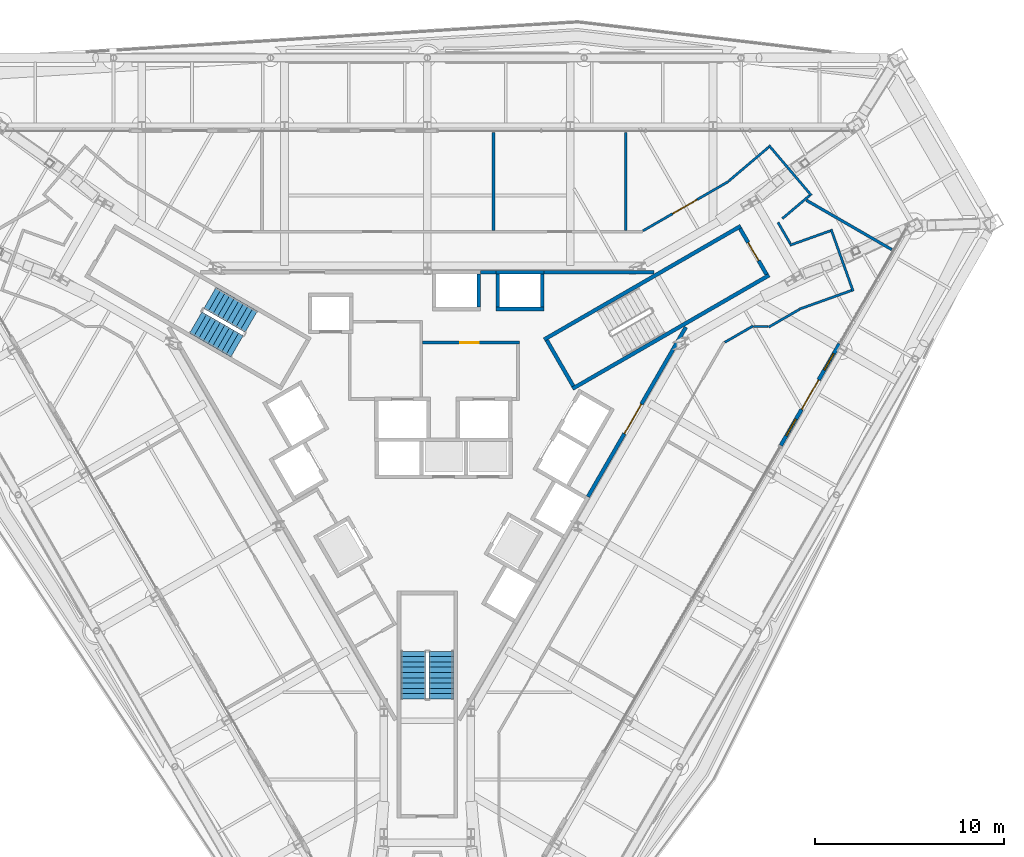
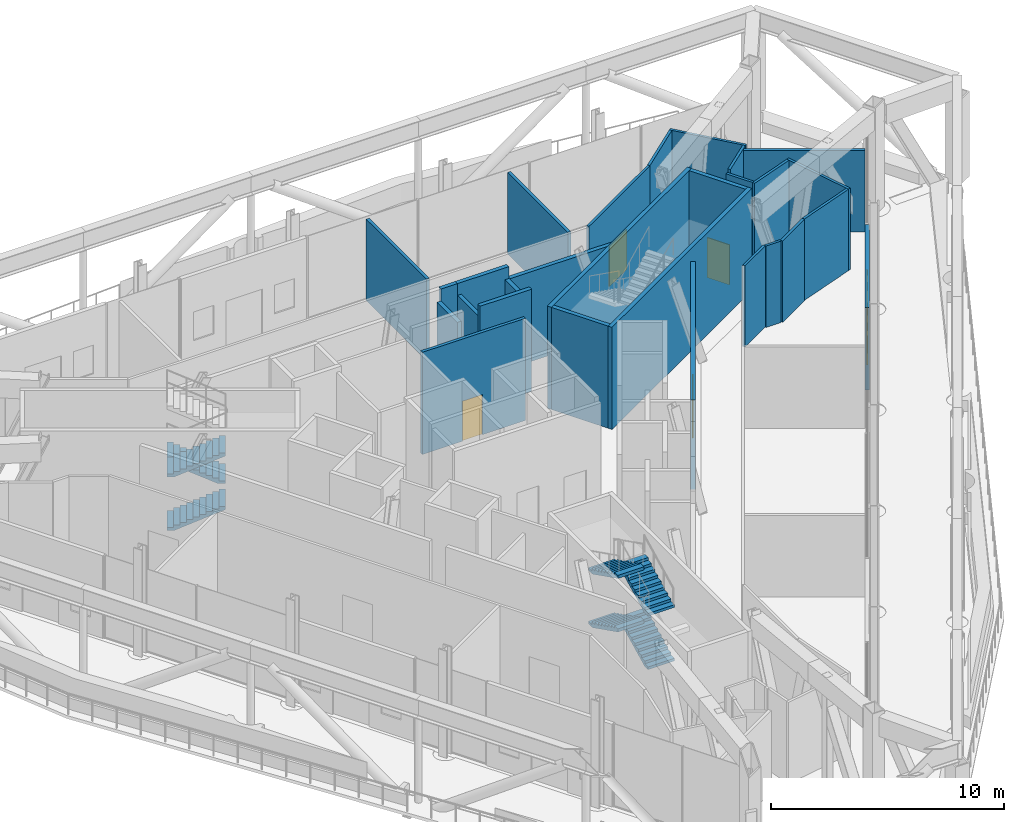
# One storey, part 18 of 25: 28 walls, 7 stair flights, 5 doors, 2 windows, 7 openings, 2 elements without a shape of their own.
"""IFC4 building model written with IfcOpenShell, lengths in metres."""

from ifc_helpers import new_model, si_unit, direction, frame, frame_2d, origin, place, context, subcontext, project, spatial, polyline, rectangle, outline, extrude, material, layer, layer_set, type_object, element, fill, aggregate, save


model = new_model("IFC4")

# Units and contexts
model_context = context("Model", 3, precision=1e-05, world=origin(), true_north=direction((0.0, 1.0)))
body_context = subcontext(model_context, "Body", "Model", "MODEL_VIEW")
ifc_project = project(units=[si_unit("LENGTHUNIT", "METRE"), si_unit("AREAUNIT", "SQUARE_METRE"), si_unit("VOLUMEUNIT", "CUBIC_METRE"), si_unit("PLANEANGLEUNIT", "RADIAN"), si_unit("MASSUNIT", "GRAM", prefix="KILO")], contexts=[model_context])

# Site, building, storey
site_placement = place(None, origin())
site = spatial("IfcSite", under=ifc_project, at=site_placement, CompositionType="ELEMENT")
building_placement = place(site_placement, origin())
building = spatial("IfcBuilding", under=site, at=building_placement, Name="Verrane Prism Tower", CompositionType="ELEMENT")
storey_placement = place(building_placement, frame((0.0, 0.0, 143.199951171875)))
storey = spatial("IfcBuildingStorey", under=building, at=storey_placement, Name="L35", CompositionType="ELEMENT", Elevation=143.199951171875)

# Walls
ifc_material_1 = material(Name="Gypsum board partition", Category="other")
ifc_layer_1 = layer(ifc_material_1, 0.199951171875)
ifc_layer_set_1 = layer_set([ifc_layer_1], Name="CW-200 core boundary wall 2 h")
wall_type_1 = type_object("IfcWallType", Name="CW-200 core boundary wall 2 h", PredefinedType="PARTITIONING", material=ifc_layer_set_1)
wall_1_placement = place(storey_placement, frame((2.81689453125, 8.860107421875, 0.0), z_axis=(0.0, 0.0, 1.0), x_axis=(1.0, 0.0, 0.0)))
element("IfcWall", 1, at=wall_1_placement, inside=storey, type_object=wall_type_1, Name="Core boundary wall CW3-005", PredefinedType="PARTITIONING", context=body_context, shape_type="SweptSolid", body=[
    extrude(rectangle(XDim=0.80615234375, YDim=0.199951171875, at=frame_2d((0.403076171875, 0.0))), origin(), (0.0, 0.0, 1.0), 5.35009765625),
])
wall_2_placement = place(storey_placement, frame((6.177001953125, 8.860107421875, 0.0), z_axis=(0.0, 0.0, 1.0), x_axis=(1.0, 0.0, 0.0)))
element("IfcWall", 2, at=wall_2_placement, inside=storey, type_object=wall_type_1, Name="Core boundary wall CW3-007", PredefinedType="PARTITIONING", context=body_context, shape_type="SweptSolid", body=[
    extrude(rectangle(XDim=5.81396484375, YDim=0.199951171875, at=frame_2d((2.906982421875, 0.0))), origin(), (0.0, 0.0, 1.0), 4.69677734375),
])

# Wall, opening, door
wall_3_placement = place(storey_placement, frame((8.491943359375, -3.011962890625, 0.0), z_axis=(0.0, 0.0, 1.0), x_axis=(0.499972957231, 0.866041016371, 0.0)))
wall_3 = element("IfcWall", 3, at=wall_3_placement, inside=storey, type_object=wall_type_1, Name="Core boundary wall CW3-008", PredefinedType="PARTITIONING", context=body_context, shape_type="SweptSolid", body=[
    extrude(rectangle(XDim=10.3486328125, YDim=0.199951171875, at=frame_2d((5.17431640625, 0.0))), origin(), (0.0, 0.0, 1.0), 4.69677734375),
])
opening_1_placement = place(wall_3_placement, frame((3.85009765625, 0.0, 0.0)))
opening_1 = element("IfcOpeningElement", 4, at=opening_1_placement, cuts=wall_3, Name="Opening D35520", PredefinedType="OPENING", context=body_context, shape_type="SweptSolid", body=[
    extrude(rectangle(XDim=1.800048828125, YDim=2.10009765625, at=frame_2d((0.89990234375, 1.050048828125))), frame((0.0, 0.10986328125, 0.0), z_axis=(0.0, -1.0, 0.0), x_axis=(1.0, 0.0, 0.0)), (0.0, 0.0, 1.0), 0.219970703125),
])
ifc_material_2 = material(Name="Timber veneered door leaf", Category="wood")
door_type_1 = type_object("IfcDoorType", Name="DR-1800x2100 FD60 double leaf lift lobby", OperationType="NOTDEFINED", PredefinedType="DOOR", material=ifc_material_2)
door_1_placement = place(opening_1_placement, origin())
door_1 = element("IfcDoor", 5, at=door_1_placement, inside=storey, type_object=door_type_1, Name="Lift lobby door D35520", OperationType="DOUBLE_DOOR_SINGLE_SWING", OverallHeight=2.10009765625, OverallWidth=1.800048828125, PredefinedType="DOOR", context=body_context, shape_type="SweptSolid", body=[
    extrude(rectangle(XDim=1.800048828125, YDim=2.10009765625, at=frame_2d((0.89990234375, 1.050048828125))), frame((0.0, 0.02490234375, 0.0), z_axis=(0.0, -1.0, 0.0), x_axis=(1.0, 0.0, 0.0)), (0.0, 0.0, 1.0), 0.050048828125),
])
fill(opening_1, door_1)

ifc_material_3 = material(Name="Concrete C40/50", Category="concrete")
ifc_layer_2 = layer(ifc_material_3, 0.199951171875)
ifc_layer_set_2 = layer_set([ifc_layer_2], Name="CW-200 stair core wall concrete C40/50 3 h")
wall_type_2 = type_object("IfcWallType", Name="CW-200 stair core wall concrete C40/50 3 h", PredefinedType="PARTITIONING", material=ifc_layer_set_2)
wall_4_placement = place(storey_placement, frame((17.933837890625, 8.737548828125, 0.0), z_axis=(0.0, 0.0, 1.0), x_axis=(-0.49998411664, 0.866034573852, 0.0)))
wall_4 = element("IfcWall", 6, at=wall_4_placement, inside=storey, type_object=wall_type_2, Name="Stair 1 enclosure wall", PredefinedType="PARTITIONING", context=body_context, shape_type="SweptSolid", body=[
    extrude(rectangle(XDim=2.7998046875, YDim=0.199951171875, at=frame_2d((1.39990234375, 0.0))), origin(), (0.0, 0.0, 1.0), 5.35009765625),
])
opening_2_placement = place(wall_4_placement, frame((0.849853515625, 0.0, 0.0)))
opening_2 = element("IfcOpeningElement", 7, at=opening_2_placement, cuts=wall_4, Name="Opening D35500", PredefinedType="OPENING", context=body_context, shape_type="SweptSolid", body=[
    extrude(rectangle(XDim=1.10009765625, YDim=2.10009765625, at=frame_2d((0.550048828125, 1.050048828125))), frame((0.0, 0.10986328125, 0.0), z_axis=(0.0, -1.0, 0.0), x_axis=(1.0, 0.0, 0.0)), (0.0, 0.0, 1.0), 0.219970703125),
])
ifc_material_4 = material(Name="Timber veneered door leaf", Category="wood")
door_type_2 = type_object("IfcDoorType", Name="DR-1100x2100 FD90 single leaf stair", OperationType="NOTDEFINED", PredefinedType="DOOR", material=ifc_material_4)
door_2_placement = place(opening_2_placement, origin())
door_2 = element("IfcDoor", 8, at=door_2_placement, inside=storey, type_object=door_type_2, Name="Stair 1 door", OperationType="SINGLE_SWING_LEFT", OverallHeight=2.10009765625, OverallWidth=1.10009765625, PredefinedType="DOOR", context=body_context, shape_type="SweptSolid", body=[
    extrude(rectangle(XDim=1.10009765625, YDim=2.10009765625, at=frame_2d((0.550048828125, 1.050048828125))), frame((0.0, 0.02490234375, 0.0), z_axis=(0.0, -1.0, 0.0), x_axis=(1.0, 0.0, 0.0)), (0.0, 0.0, 1.0), 0.050048828125),
])
fill(opening_2, door_2)

# Walls
for number, where, z_axis, x_axis, name in (
    (9, (6.17822265625, 5.299072265625, 0.0), (0.0, 0.0, 1.0), (0.866026010844, 0.49999894854, 0.0), "Stair 1 enclosure wall"),
    (10, (7.67822265625, 2.700927734375, 0.0), (0.0, 0.0, 1.0), (0.866026010844, 0.49999894854, 0.0), "Stair 1 enclosure wall"),
):
    element("IfcWall", number, at=place(storey_placement, frame(where, z_axis=z_axis, x_axis=x_axis)), inside=storey, type_object=wall_type_2, Name=name, PredefinedType="PARTITIONING", context=body_context, shape_type="SweptSolid", body=[
        extrude(rectangle(XDim=12.0, YDim=0.199951171875, at=frame_2d((6.0, 0.0))), origin(), (0.0, 0.0, 1.0), 5.35009765625),
    ])
wall_5_placement = place(storey_placement, frame((7.71484375, 2.837646484375, 0.0), z_axis=(0.0, 0.0, 1.0), x_axis=(-0.500049511043, 0.865996816683, 0.0)))
element("IfcWall", 11, at=wall_5_placement, inside=storey, type_object=wall_type_2, Name="Stair 1 enclosure wall", PredefinedType="PARTITIONING", context=body_context, shape_type="SweptSolid", body=[
    extrude(rectangle(XDim=2.800048828125, YDim=0.199951171875, at=frame_2d((1.39990234375, 0.0))), origin(), (0.0, 0.0, 1.0), 5.35009765625),
])
ifc_material_5 = material(Name="Gypsum board shaft wall assembly", Category="other")
ifc_layer_3 = layer(ifc_material_5, 0.199951171875)
ifc_layer_set_3 = layer_set([ifc_layer_3], Name="HW-200 lift shaft wall 2 h")
wall_type_3 = type_object("IfcWallType", Name="HW-200 lift shaft wall 2 h", PredefinedType="PARTITIONING", material=ifc_layer_set_3)
for number, where, z_axis, x_axis, name in (
    (12, (3.625, 6.909912109375, 0.0), (0.0, 0.0, 1.0), (1.0, 0.0, 0.0), "Lift shaft wall"),
    (13, (3.625, 8.860107421875, 0.0), (0.0, 0.0, 1.0), (1.0, 0.0, 0.0), "Lift shaft wall"),
):
    element("IfcWall", number, at=place(storey_placement, frame(where, z_axis=z_axis, x_axis=x_axis)), inside=storey, type_object=wall_type_3, Name=name, PredefinedType="PARTITIONING", context=body_context, shape_type="SweptSolid", body=[
        extrude(rectangle(XDim=2.550048828125, YDim=0.199951171875, at=frame_2d((1.27490234375, 0.0))), origin(), (0.0, 0.0, 1.0), 5.35009765625),
    ])
for number, where, z_axis, x_axis, name in (
    (14, (6.074951171875, 7.010009765625, 0.0), (0.0, 0.0, 1.0), (0.0, 1.0, 0.0), "Lift shaft wall"),
    (15, (3.72509765625, 7.010009765625, 0.0), (0.0, 0.0, 1.0), (0.0, 1.0, 0.0), "Lift shaft wall"),
    (16, (2.715087890625, 7.010009765625, 0.0), (0.0, 0.0, 1.0), (0.0, 1.0, 0.0), "Lift shaft wall"),
):
    element("IfcWall", number, at=place(storey_placement, frame(where, z_axis=z_axis, x_axis=x_axis)), inside=storey, type_object=wall_type_3, Name=name, PredefinedType="PARTITIONING", context=body_context, shape_type="SweptSolid", body=[
        extrude(rectangle(XDim=1.75, YDim=0.199951171875, at=frame_2d((0.875, 0.0))), origin(), (0.0, 0.0, 1.0), 4.73291015625),
    ])

# Wall, opening, door
ifc_material_6 = material(Name="Gypsum board partition", Category="other")
ifc_layer_4 = layer(ifc_material_6, 0.14990234375)
ifc_layer_set_4 = layer_set([ifc_layer_4], Name="LF-150 firefighting lobby wall 1 h")
wall_type_4 = type_object("IfcWallType", Name="LF-150 firefighting lobby wall 1 h", PredefinedType="PARTITIONING", material=ifc_layer_set_4)
wall_6_placement = place(storey_placement, frame((-0.2451171875, 5.139892578125, 0.0), z_axis=(0.0, 0.0, 1.0), x_axis=(1.0, 0.0, 0.0)))
wall_6 = element("IfcWall", 17, at=wall_6_placement, inside=storey, type_object=wall_type_4, Name="Firefighting lobby wall LF1-005", PredefinedType="PARTITIONING", context=body_context, shape_type="SweptSolid", body=[
    extrude(rectangle(XDim=5.110107421875, YDim=0.14990234375, at=frame_2d((2.55517578125, 0.0))), origin(), (0.0, 0.0, 1.0), 5.35009765625),
])
opening_3_placement = place(wall_6_placement, frame((1.97509765625, 0.0, 0.0)))
opening_3 = element("IfcOpeningElement", 18, at=opening_3_placement, cuts=wall_6, Name="Opening D35519", PredefinedType="OPENING", context=body_context, shape_type="SweptSolid", body=[
    extrude(rectangle(XDim=1.0, YDim=2.10009765625, at=frame_2d((0.5, 1.050048828125))), frame((0.0, 0.0849609375, 0.0), z_axis=(0.0, -1.0, 0.0), x_axis=(1.0, 0.0, 0.0)), (0.0, 0.0, 1.0), 0.169921875),
])
ifc_material_7 = material(Name="Timber veneered door leaf", Category="wood")
door_type_3 = type_object("IfcDoorType", Name="DR-1000x2100 FD60 single leaf firefighting lobby", OperationType="NOTDEFINED", PredefinedType="DOOR", material=ifc_material_7)
door_3_placement = place(opening_3_placement, origin())
door_3 = element("IfcDoor", 19, at=door_3_placement, inside=storey, type_object=door_type_3, Name="Firefighting lobby door D35519", OperationType="SINGLE_SWING_RIGHT", OverallHeight=2.10009765625, OverallWidth=1.0, PredefinedType="DOOR", context=body_context, shape_type="SweptSolid", body=[
    extrude(rectangle(XDim=1.0, YDim=2.10009765625, at=frame_2d((0.5, 1.050048828125))), frame((0.0, 0.02490234375, 0.0), z_axis=(0.0, -1.0, 0.0), x_axis=(1.0, 0.0, 0.0)), (0.0, 0.0, 1.0), 0.050048828125),
])
fill(opening_3, door_3)

ifc_material_8 = material(Name="Gypsum board partition", Category="other")
ifc_layer_5 = layer(ifc_material_8, 0.125)
ifc_layer_set_5 = layer_set([ifc_layer_5], Name="PW-125 corridor wall 1 h")
wall_type_5 = type_object("IfcWallType", Name="PW-125 corridor wall 1 h", PredefinedType="PARTITIONING", material=ifc_layer_set_5)
wall_7_placement = place(storey_placement, frame((11.3955078125, 11.04248046875, 0.0), z_axis=(0.0, 0.0, 1.0), x_axis=(0.866219007347, 0.499664518764, 0.0)))
wall_7 = element("IfcWall", 20, at=wall_7_placement, inside=storey, type_object=wall_type_5, Name="Corridor wall 037", PredefinedType="PARTITIONING", context=body_context, shape_type="SweptSolid", body=[
    extrude(rectangle(XDim=5.22900390625, YDim=0.125, at=frame_2d((2.614501953125, 0.0))), origin(), (0.0, 0.0, 1.0), 4.261962890625),
])
opening_4_placement = place(wall_7_placement, frame((1.81494140625, 0.0, 0.0)))
opening_4 = element("IfcOpeningElement", 21, at=opening_4_placement, cuts=wall_7, Name="Opening D35001", PredefinedType="OPENING", context=body_context, shape_type="SweptSolid", body=[
    extrude(rectangle(XDim=1.5, YDim=2.10009765625, at=frame_2d((0.75, 1.050048828125))), frame((0.0, 0.072509765625, 0.0), z_axis=(0.0, -1.0, 0.0), x_axis=(1.0, 0.0, 0.0)), (0.0, 0.0, 1.0), 0.14501953125),
])
ifc_material_9 = material(Name="Timber veneered door leaf", Category="wood")
door_type_4 = type_object("IfcDoorType", Name="DR-1500x2100 FD60 double leaf unit", OperationType="NOTDEFINED", PredefinedType="DOOR", material=ifc_material_9)
door_4_placement = place(opening_4_placement, origin())
door_4 = element("IfcDoor", 22, at=door_4_placement, inside=storey, type_object=door_type_4, Name="Mechanical Plant Room door", OperationType="DOUBLE_DOOR_SINGLE_SWING", OverallHeight=2.10009765625, OverallWidth=1.5, PredefinedType="DOOR", context=body_context, shape_type="SweptSolid", body=[
    extrude(rectangle(XDim=1.5, YDim=2.10009765625, at=frame_2d((0.75, 1.050048828125))), frame((0.0, 0.02490234375, 0.0), z_axis=(0.0, -1.0, 0.0), x_axis=(1.0, 0.0, 0.0)), (0.0, 0.0, 1.0), 0.050048828125),
])
fill(opening_4, door_4)

# Walls
wall_8_placement = place(storey_placement, frame((15.7265625, 5.153564453125, 0.0), z_axis=(0.0, 0.0, 1.0), x_axis=(0.865916841101, 0.500187988959, 0.0)))
element("IfcWall", 23, at=wall_8_placement, inside=storey, type_object=wall_type_5, Name="Corridor wall 039", PredefinedType="PARTITIONING", context=body_context, shape_type="SweptSolid", body=[
    extrude(rectangle(XDim=1.724853515625, YDim=0.125, at=frame_2d((0.8623046875, 0.0))), origin(), (0.0, 0.0, 1.0), 4.261962890625),
])
wall_9_placement = place(storey_placement, frame((15.92822265625, 13.672607421875, 0.0), z_axis=(0.0, 0.0, 1.0), x_axis=(0.762579987285, 0.646893934886, 0.0)))
element("IfcWall", 24, at=wall_9_placement, inside=storey, type_object=wall_type_5, Name="Corridor wall 040", PredefinedType="PARTITIONING", context=body_context, shape_type="SweptSolid", body=[
    extrude(rectangle(XDim=2.781494140625, YDim=0.125, at=frame_2d((1.390625, 0.0))), origin(), (0.0, 0.0, 1.0), 4.261962890625),
])
wall_10_placement = place(storey_placement, frame((17.2509765625, 5.985107421875, 0.0), z_axis=(0.0, 0.0, 1.0), x_axis=(1.0, 0.0, 0.0)))
element("IfcWall", 25, at=wall_10_placement, inside=storey, type_object=wall_type_5, Name="Corridor wall 041", PredefinedType="PARTITIONING", context=body_context, shape_type="SweptSolid", body=[
    extrude(rectangle(XDim=0.761962890625, YDim=0.125, at=frame_2d((0.380859375, 0.0))), origin(), (0.0, 0.0, 1.0), 4.261962890625),
])
wall_11_placement = place(storey_placement, frame((18.0439453125, 5.953857421875, 0.0), z_axis=(0.0, 0.0, 1.0), x_axis=(0.866066508296, 0.499928798138, 0.0)))
element("IfcWall", 26, at=wall_11_placement, inside=storey, type_object=wall_type_5, Name="Corridor wall 042", PredefinedType="PARTITIONING", context=body_context, shape_type="SweptSolid", body=[
    extrude(rectangle(XDim=1.877685546875, YDim=0.125, at=frame_2d((0.93896484375, 0.0))), origin(), (0.0, 0.0, 1.0), 4.261962890625),
])
wall_12_placement = place(storey_placement, frame((18.05859375, 15.561767578125, 0.0), z_axis=(0.0, 0.0, 1.0), x_axis=(0.646921713651, -0.762556421785, 0.0)))
element("IfcWall", 27, at=wall_12_placement, inside=storey, type_object=wall_type_5, Name="Corridor wall 043", PredefinedType="PARTITIONING", context=body_context, shape_type="SweptSolid", body=[
    extrude(rectangle(XDim=3.47314453125, YDim=0.125, at=frame_2d((1.736572265625, 0.0))), origin(), (0.0, 0.0, 1.0), 4.261962890625),
])
wall_13_placement = place(storey_placement, frame((18.535888671875, 11.493896484375, 0.0), z_axis=(0.0, 0.0, 1.0), x_axis=(0.500318258544, -0.86584157914, 0.0)))
element("IfcWall", 28, at=wall_13_placement, inside=storey, type_object=wall_type_5, Name="Corridor wall 044", PredefinedType="PARTITIONING", context=body_context, shape_type="SweptSolid", body=[
    extrude(rectangle(XDim=1.300537109375, YDim=0.125, at=frame_2d((0.650390625, 0.0))), origin(), (0.0, 0.0, 1.0), 4.261962890625),
])
wall_14_placement = place(storey_placement, frame((18.76708984375, 11.68994140625, 0.0), z_axis=(0.0, 0.0, 1.0), x_axis=(0.762459174638, 0.647036325881, 0.0)))
element("IfcWall", 29, at=wall_14_placement, inside=storey, type_object=wall_type_5, Name="Corridor wall 045", PredefinedType="PARTITIONING", context=body_context, shape_type="SweptSolid", body=[
    extrude(rectangle(XDim=1.8994140625, YDim=0.125, at=frame_2d((0.94970703125, 0.0))), origin(), (0.0, 0.0, 1.0), 4.261962890625),
])
wall_15_placement = place(storey_placement, frame((19.1650390625, 10.281982421875, 0.0), z_axis=(0.0, 0.0, 1.0), x_axis=(0.941644548389, 0.336608889499, 0.0)))
element("IfcWall", 30, at=wall_15_placement, inside=storey, type_object=wall_type_5, Name="Corridor wall 046", PredefinedType="PARTITIONING", context=body_context, shape_type="SweptSolid", body=[
    extrude(rectangle(XDim=2.270263671875, YDim=0.125, at=frame_2d((1.13525390625, 0.0))), origin(), (0.0, 0.0, 1.0), 4.261962890625),
])
wall_16_placement = place(storey_placement, frame((19.67626953125, 6.908935546875, 0.0), z_axis=(0.0, 0.0, 1.0), x_axis=(0.94150714771, 0.336993013001, 0.0)))
element("IfcWall", 31, at=wall_16_placement, inside=storey, type_object=wall_type_5, Name="Corridor wall 047", PredefinedType="PARTITIONING", context=body_context, shape_type="SweptSolid", body=[
    extrude(rectangle(XDim=2.92041015625, YDim=0.125, at=frame_2d((1.460205078125, 0.0))), origin(), (0.0, 0.0, 1.0), 4.261962890625),
])
wall_17_placement = place(storey_placement, frame((21.343017578125, 11.126953125, 0.0), z_axis=(0.0, 0.0, 1.0), x_axis=(0.335547849287, -0.942023163642, 0.0)))
element("IfcWall", 32, at=wall_17_placement, inside=storey, type_object=wall_type_5, Name="Corridor wall 049", PredefinedType="PARTITIONING", context=body_context, shape_type="SweptSolid", body=[
    extrude(rectangle(XDim=3.47216796875, YDim=0.125, at=frame_2d((1.736083984375, 0.0))), origin(), (0.0, 0.0, 1.0), 4.261962890625),
])
ifc_material_10 = material(Name="Gypsum board partition", Category="other")
ifc_layer_6 = layer(ifc_material_10, 0.14990234375)
ifc_layer_set_6 = layer_set([ifc_layer_6], Name="PW-150 demising wall 1 h")
wall_type_6 = type_object("IfcWallType", Name="PW-150 demising wall 1 h", PredefinedType="PARTITIONING", material=ifc_layer_set_6)
for number, where, z_axis, x_axis, name in (
    (33, (3.4970703125, 11.0625, 0.0), (0.0, 0.0, 1.0), (0.0, 1.0, 0.0), "Demising wall 031"),
    (34, (10.491943359375, 11.0625, 0.0), (0.0, 0.0, 1.0), (0.0, 1.0, 0.0), "Demising wall 036"),
):
    element("IfcWall", number, at=place(storey_placement, frame(where, z_axis=z_axis, x_axis=x_axis)), inside=storey, type_object=wall_type_6, Name=name, PredefinedType="PARTITIONING", context=body_context, shape_type="SweptSolid", body=[
        extrude(rectangle(XDim=5.172607421875, YDim=0.14990234375, at=frame_2d((2.58642578125, 0.0))), origin(), (0.0, 0.0, 1.0), 4.261962890625),
    ])
wall_18_placement = place(storey_placement, frame((20.043701171875, 12.658447265625, 0.0), z_axis=(0.0, 0.0, 1.0), x_axis=(0.865959859482, -0.500113508882, 0.0)))
element("IfcWall", 35, at=wall_18_placement, inside=storey, type_object=wall_type_6, Name="Demising wall 048", PredefinedType="PARTITIONING", context=body_context, shape_type="SweptSolid", body=[
    extrude(rectangle(XDim=5.205810546875, YDim=0.14990234375, at=frame_2d((2.60302734375, 0.0))), origin(), (0.0, 0.0, 1.0), 4.261962890625),
])

# Wall, openings, door, windows
ifc_material_11 = material(Name="Aluminium framed insulated glazing", Category="aluminium")
ifc_layer_7 = layer(ifc_material_11, 0.199951171875)
ifc_layer_set_7 = layer_set([ifc_layer_7], Name="Refuge screen wall 200")
wall_type_7 = type_object("IfcWallType", Name="Refuge screen wall 200", PredefinedType="SOLIDWALL", material=ifc_layer_set_7)
wall_19_placement = place(storey_placement, frame((18.685302734375, -0.29833984375, 0.0), z_axis=(0.0, 0.0, 1.0), x_axis=(0.49998037582, 0.866036733513, 0.0)))
wall_19 = element("IfcWall", 36, at=wall_19_placement, inside=storey, type_object=wall_type_7, Name="Refuge screen wall south-east face L35", PredefinedType="SOLIDWALL", context=body_context, shape_type="SweptSolid", body=[
    extrude(rectangle(XDim=6.199951171875, YDim=0.199951171875, at=frame_2d((3.10009765625, 0.0))), origin(), (0.0, 0.0, 1.0), 4.322509765625),
])
opening_5_placement = place(wall_19_placement, frame((0.60009765625, 0.0, 0.89990234375)))
opening_5 = element("IfcOpeningElement", 37, at=opening_5_placement, cuts=wall_19, Name="Opening W35713", PredefinedType="OPENING", context=body_context, shape_type="SweptSolid", body=[
    extrude(rectangle(XDim=1.0, YDim=1.5, at=frame_2d((0.5, 0.75))), frame((0.0, 0.10986328125, 0.0), z_axis=(0.0, -1.0, 0.0), x_axis=(1.0, 0.0, 0.0)), (0.0, 0.0, 1.0), 0.219970703125),
])
opening_6_placement = place(wall_19_placement, frame((2.199951171875, 0.0, 0.0)))
opening_6 = element("IfcOpeningElement", 38, at=opening_6_placement, cuts=wall_19, Name="Opening D35707", PredefinedType="OPENING", context=body_context, shape_type="SweptSolid", body=[
    extrude(rectangle(XDim=1.800048828125, YDim=2.39990234375, at=frame_2d((0.89990234375, 1.199951171875))), frame((0.0, 0.10986328125, 0.0), z_axis=(0.0, -1.0, 0.0), x_axis=(1.0, 0.0, 0.0)), (0.0, 0.0, 1.0), 0.219970703125),
])
opening_7_placement = place(wall_19_placement, frame((4.60009765625, 0.0, 0.89990234375)))
opening_7 = element("IfcOpeningElement", 39, at=opening_7_placement, cuts=wall_19, Name="Opening W35714", PredefinedType="OPENING", context=body_context, shape_type="SweptSolid", body=[
    extrude(rectangle(XDim=1.0, YDim=1.5, at=frame_2d((0.5, 0.75))), frame((0.0, 0.10986328125, 0.0), z_axis=(0.0, -1.0, 0.0), x_axis=(1.0, 0.0, 0.0)), (0.0, 0.0, 1.0), 0.219970703125),
])
ifc_material_12 = material(Name="Aluminium framed glazing", Category="aluminium")
door_type_5 = type_object("IfcDoorType", Name="DR-1800x2400 double glazed garden door", OperationType="DOUBLE_DOOR_SINGLE_SWING", PredefinedType="DOOR", material=ifc_material_12)
door_5_placement = place(opening_6_placement, frame((1.800048828125, 0.0, 0.0), z_axis=(0.0, 0.0, 1.0), x_axis=(-1.0, 0.0, 0.0)))
door_5 = element("IfcDoor", 40, at=door_5_placement, inside=storey, type_object=door_type_5, Name="Refuge terrace door D35707", OperationType="DOUBLE_DOOR_SINGLE_SWING", OverallHeight=2.39990234375, OverallWidth=1.800048828125, PredefinedType="DOOR", context=body_context, shape_type="SweptSolid", body=[
    extrude(rectangle(XDim=1.800048828125, YDim=2.39990234375, at=frame_2d((0.89990234375, 1.199951171875))), frame((0.0, 0.02490234375, 0.0), z_axis=(0.0, -1.0, 0.0), x_axis=(1.0, 0.0, 0.0)), (0.0, 0.0, 1.0), 0.050048828125),
])
fill(opening_6, door_5)
ifc_material_13 = material(Name="Aluminium framed glazing", Category="aluminium")
window_type = type_object("IfcWindowType", Name="Vent window 1000x1500 top hung", PartitioningType="SINGLE_PANEL", PredefinedType="WINDOW", material=ifc_material_13)
window_1_placement = place(opening_5_placement, origin())
window_1 = element("IfcWindow", 41, at=window_1_placement, inside=storey, type_object=window_type, Name="Vent window W35713", OverallHeight=1.5, OverallWidth=1.0, PartitioningType="SINGLE_PANEL", PredefinedType="WINDOW", context=body_context, shape_type="SweptSolid", body=[
    extrude(rectangle(XDim=1.0, YDim=1.5, at=frame_2d((0.5, 0.75))), frame((0.0, 0.030029296875, 0.0), z_axis=(0.0, -1.0, 0.0), x_axis=(1.0, 0.0, 0.0)), (0.0, 0.0, 1.0), 0.06005859375),
])
fill(opening_5, window_1)
window_2_placement = place(opening_7_placement, origin())
window_2 = element("IfcWindow", 42, at=window_2_placement, inside=storey, type_object=window_type, Name="Vent window W35714", OverallHeight=1.5, OverallWidth=1.0, PartitioningType="SINGLE_PANEL", PredefinedType="WINDOW", context=body_context, shape_type="SweptSolid", body=[
    extrude(rectangle(XDim=1.0, YDim=1.5, at=frame_2d((0.5, 0.75))), frame((0.0, 0.030029296875, 0.0), z_axis=(0.0, -1.0, 0.0), x_axis=(1.0, 0.0, 0.0)), (0.0, 0.0, 1.0), 0.06005859375),
])
fill(opening_7, window_2)

# Stair, stair flights
ifc_material_14 = material(Name="Concrete C40/50", Category="concrete")
stair_type = type_object("IfcStairType", Name="Exit stair 1300 dog-leg precast concrete C40/50", PredefinedType="HALF_TURN_STAIR", material=ifc_material_14)
stair_1_placement = place(storey_placement, origin())
stair_1 = element("IfcStair", 43, at=stair_1_placement, inside=storey, type_object=stair_type, Name="Stair 2 L35", PredefinedType="HALF_TURN_STAIR")
ifc_material_15 = material(Name="Concrete C40/50", Category="concrete")
stair_flight_type = type_object("IfcStairFlightType", Name="Stair flight 1300 precast concrete C40/50", PredefinedType="STRAIGHT", material=ifc_material_15)
stair_flight_1_placement = place(storey_placement, frame((-12.239501953125, 6.200439453125, 0.0), z_axis=(0.0, 0.0, 1.0), x_axis=(0.866025403784, -0.5, 0.0)))
stair_flight_1 = element("IfcStairFlight", 44, at=stair_flight_1_placement, type_object=stair_flight_type, Name="Stair 2 flight 1", NumberOfRisers=10, NumberOfTreads=9, PredefinedType="STRAIGHT", RiserHeight=0.14, TreadLength=0.28, context=body_context, shape_type="SweptSolid", body=[
    extrude(outline(polyline([(0.0, 0.0), (0.0, 0.139892578125), (0.280029296875, 0.139892578125), (0.280029296875, 0.280029296875), (0.56005859375, 0.280029296875), (0.56005859375, 0.419921875), (0.840087890625, 0.419921875), (0.840087890625, 0.56005859375), (1.1201171875, 0.56005859375), (1.1201171875, 0.699951171875), (1.39990234375, 0.699951171875), (1.39990234375, 0.840087890625), (1.679931640625, 0.840087890625), (1.679931640625, 0.97998046875), (1.9599609375, 0.97998046875), (1.9599609375, 1.1201171875), (2.239990234375, 1.1201171875), (2.239990234375, 1.260009765625), (2.52001953125, 1.260009765625), (2.52001953125, 1.39990234375), (2.52001953125, 1.09228515625), (0.335205078125, 0.0), (0.0, 0.0)])), frame((0.0, 0.64990234375, 0.0), z_axis=(0.0, -1.0, 0.0), x_axis=(1.0, 0.0, 0.0)), (0.0, 0.0, 1.0), 1.300048828125),
])
stair_flight_2_placement = place(storey_placement, frame((-9.30712890625, 6.239501953125, 1.400146484375), z_axis=(0.0, 0.0, 1.0), x_axis=(-0.866025403784, 0.5, 0.0)))
stair_flight_2 = element("IfcStairFlight", 45, at=stair_flight_2_placement, type_object=stair_flight_type, Name="Stair 2 flight 2", NumberOfRisers=10, NumberOfTreads=9, PredefinedType="STRAIGHT", RiserHeight=0.14, TreadLength=0.28, context=body_context, shape_type="SweptSolid", body=[
    extrude(outline(polyline([(0.0, 0.0), (0.0, 0.139892578125), (0.280029296875, 0.139892578125), (0.280029296875, 0.280029296875), (0.56005859375, 0.280029296875), (0.56005859375, 0.419921875), (0.840087890625, 0.419921875), (0.840087890625, 0.56005859375), (1.1201171875, 0.56005859375), (1.1201171875, 0.699951171875), (1.39990234375, 0.699951171875), (1.39990234375, 0.840087890625), (1.679931640625, 0.840087890625), (1.679931640625, 0.97998046875), (1.9599609375, 0.97998046875), (1.9599609375, 1.1201171875), (2.239990234375, 1.1201171875), (2.239990234375, 1.260009765625), (2.52001953125, 1.260009765625), (2.52001953125, 1.39990234375), (2.52001953125, 1.09228515625), (0.335205078125, 0.0), (0.0, 0.0)])), frame((0.0, 0.64990234375, 0.0), z_axis=(0.0, -1.0, 0.0), x_axis=(1.0, 0.0, 0.0)), (0.0, 0.0, 1.0), 1.300048828125),
])
stair_flight_3_placement = place(storey_placement, frame((-12.239501953125, 6.200439453125, 2.800048828125), z_axis=(0.0, 0.0, 1.0), x_axis=(0.866025403784, -0.5, 0.0)))
stair_flight_3 = element("IfcStairFlight", 46, at=stair_flight_3_placement, type_object=stair_flight_type, Name="Stair 2 flight 3", NumberOfRisers=10, NumberOfTreads=9, PredefinedType="STRAIGHT", RiserHeight=0.14, TreadLength=0.28, context=body_context, shape_type="SweptSolid", body=[
    extrude(outline(polyline([(0.0, 0.0), (0.0, 0.139892578125), (0.280029296875, 0.139892578125), (0.280029296875, 0.280029296875), (0.56005859375, 0.280029296875), (0.56005859375, 0.419921875), (0.840087890625, 0.419921875), (0.840087890625, 0.56005859375), (1.1201171875, 0.56005859375), (1.1201171875, 0.699951171875), (1.39990234375, 0.699951171875), (1.39990234375, 0.840087890625), (1.679931640625, 0.840087890625), (1.679931640625, 0.97998046875), (1.9599609375, 0.97998046875), (1.9599609375, 1.1201171875), (2.239990234375, 1.1201171875), (2.239990234375, 1.260009765625), (2.52001953125, 1.260009765625), (2.52001953125, 1.39990234375), (2.52001953125, 1.09228515625), (0.335205078125, 0.0), (0.0, 0.0)])), frame((0.0, 0.64990234375, 0.0), z_axis=(0.0, -1.0, 0.0), x_axis=(1.0, 0.0, 0.0)), (0.0, 0.0, 1.0), 1.300048828125),
])
aggregate(stair_1, [stair_flight_1, stair_flight_2, stair_flight_3])

stair_2_placement = place(storey_placement, origin())
stair_2 = element("IfcStair", 47, at=stair_2_placement, inside=storey, type_object=stair_type, Name="Stair 3 L35", PredefinedType="HALF_TURN_STAIR")
stair_flight_4_placement = place(storey_placement, frame((0.75, -13.699951171875, 0.0), z_axis=(0.0, 0.0, 1.0), x_axis=(0.0, 1.0, 0.0)))
stair_flight_4 = element("IfcStairFlight", 48, at=stair_flight_4_placement, type_object=stair_flight_type, Name="Stair 3 flight 1", NumberOfRisers=10, NumberOfTreads=9, PredefinedType="STRAIGHT", RiserHeight=0.14, TreadLength=0.28, context=body_context, shape_type="SweptSolid", body=[
    extrude(outline(polyline([(0.0, 0.0), (0.0, 0.139892578125), (0.280029296875, 0.139892578125), (0.280029296875, 0.280029296875), (0.56005859375, 0.280029296875), (0.56005859375, 0.419921875), (0.840087890625, 0.419921875), (0.840087890625, 0.56005859375), (1.1201171875, 0.56005859375), (1.1201171875, 0.699951171875), (1.39990234375, 0.699951171875), (1.39990234375, 0.840087890625), (1.679931640625, 0.840087890625), (1.679931640625, 0.97998046875), (1.9599609375, 0.97998046875), (1.9599609375, 1.1201171875), (2.239990234375, 1.1201171875), (2.239990234375, 1.260009765625), (2.52001953125, 1.260009765625), (2.52001953125, 1.39990234375), (2.52001953125, 1.09228515625), (0.335205078125, 0.0), (0.0, 0.0)])), frame((0.0, 0.64990234375, 0.0), z_axis=(0.0, -1.0, 0.0), x_axis=(1.0, 0.0, 0.0)), (0.0, 0.0, 1.0), 1.300048828125),
])
stair_flight_5_placement = place(storey_placement, frame((-0.75, -11.179931640625, 1.400146484375), z_axis=(0.0, 0.0, 1.0), x_axis=(0.0, -1.0, 0.0)))
stair_flight_5 = element("IfcStairFlight", 49, at=stair_flight_5_placement, type_object=stair_flight_type, Name="Stair 3 flight 2", NumberOfRisers=10, NumberOfTreads=9, PredefinedType="STRAIGHT", RiserHeight=0.14, TreadLength=0.28, context=body_context, shape_type="SweptSolid", body=[
    extrude(outline(polyline([(0.0, 0.0), (0.0, 0.139892578125), (0.280029296875, 0.139892578125), (0.280029296875, 0.280029296875), (0.56005859375, 0.280029296875), (0.56005859375, 0.419921875), (0.840087890625, 0.419921875), (0.840087890625, 0.56005859375), (1.1201171875, 0.56005859375), (1.1201171875, 0.699951171875), (1.39990234375, 0.699951171875), (1.39990234375, 0.840087890625), (1.679931640625, 0.840087890625), (1.679931640625, 0.97998046875), (1.9599609375, 0.97998046875), (1.9599609375, 1.1201171875), (2.239990234375, 1.1201171875), (2.239990234375, 1.260009765625), (2.52001953125, 1.260009765625), (2.52001953125, 1.39990234375), (2.52001953125, 1.09228515625), (0.335205078125, 0.0), (0.0, 0.0)])), frame((0.0, 0.64990234375, 0.0), z_axis=(0.0, -1.0, 0.0), x_axis=(1.0, 0.0, 0.0)), (0.0, 0.0, 1.0), 1.300048828125),
])
stair_flight_6_placement = place(storey_placement, frame((0.75, -13.699951171875, 2.800048828125), z_axis=(0.0, 0.0, 1.0), x_axis=(0.0, 1.0, 0.0)))
stair_flight_6 = element("IfcStairFlight", 50, at=stair_flight_6_placement, type_object=stair_flight_type, Name="Stair 3 flight 3", NumberOfRisers=10, NumberOfTreads=9, PredefinedType="STRAIGHT", RiserHeight=0.14, TreadLength=0.28, context=body_context, shape_type="SweptSolid", body=[
    extrude(outline(polyline([(0.0, 0.0), (0.0, 0.139892578125), (0.280029296875, 0.139892578125), (0.280029296875, 0.280029296875), (0.56005859375, 0.280029296875), (0.56005859375, 0.419921875), (0.840087890625, 0.419921875), (0.840087890625, 0.56005859375), (1.1201171875, 0.56005859375), (1.1201171875, 0.699951171875), (1.39990234375, 0.699951171875), (1.39990234375, 0.840087890625), (1.679931640625, 0.840087890625), (1.679931640625, 0.97998046875), (1.9599609375, 0.97998046875), (1.9599609375, 1.1201171875), (2.239990234375, 1.1201171875), (2.239990234375, 1.260009765625), (2.52001953125, 1.260009765625), (2.52001953125, 1.39990234375), (2.52001953125, 1.09228515625), (0.335205078125, 0.0), (0.0, 0.0)])), frame((0.0, 0.64990234375, 0.0), z_axis=(0.0, -1.0, 0.0), x_axis=(1.0, 0.0, 0.0)), (0.0, 0.0, 1.0), 1.300048828125),
])
stair_flight_7_placement = place(storey_placement, frame((-0.75, -11.179931640625, 4.199951171875), z_axis=(0.0, 0.0, 1.0), x_axis=(0.0, -1.0, 0.0)))
stair_flight_7 = element("IfcStairFlight", 51, at=stair_flight_7_placement, type_object=stair_flight_type, Name="Stair 3 flight 4", NumberOfRisers=10, NumberOfTreads=9, PredefinedType="STRAIGHT", RiserHeight=0.14, TreadLength=0.28, context=body_context, shape_type="SweptSolid", body=[
    extrude(outline(polyline([(0.0, 0.0), (0.0, 0.139892578125), (0.280029296875, 0.139892578125), (0.280029296875, 0.280029296875), (0.56005859375, 0.280029296875), (0.56005859375, 0.419921875), (0.840087890625, 0.419921875), (0.840087890625, 0.56005859375), (1.1201171875, 0.56005859375), (1.1201171875, 0.699951171875), (1.39990234375, 0.699951171875), (1.39990234375, 0.840087890625), (1.679931640625, 0.840087890625), (1.679931640625, 0.97998046875), (1.9599609375, 0.97998046875), (1.9599609375, 1.1201171875), (2.239990234375, 1.1201171875), (2.239990234375, 1.260009765625), (2.52001953125, 1.260009765625), (2.52001953125, 1.39990234375), (2.52001953125, 1.09228515625), (0.335205078125, 0.0), (0.0, 0.0)])), frame((0.0, 0.64990234375, 0.0), z_axis=(0.0, -1.0, 0.0), x_axis=(1.0, 0.0, 0.0)), (0.0, 0.0, 1.0), 1.300048828125),
])
aggregate(stair_2, [stair_flight_4, stair_flight_5, stair_flight_6, stair_flight_7])

save(model, "model.ifc")
